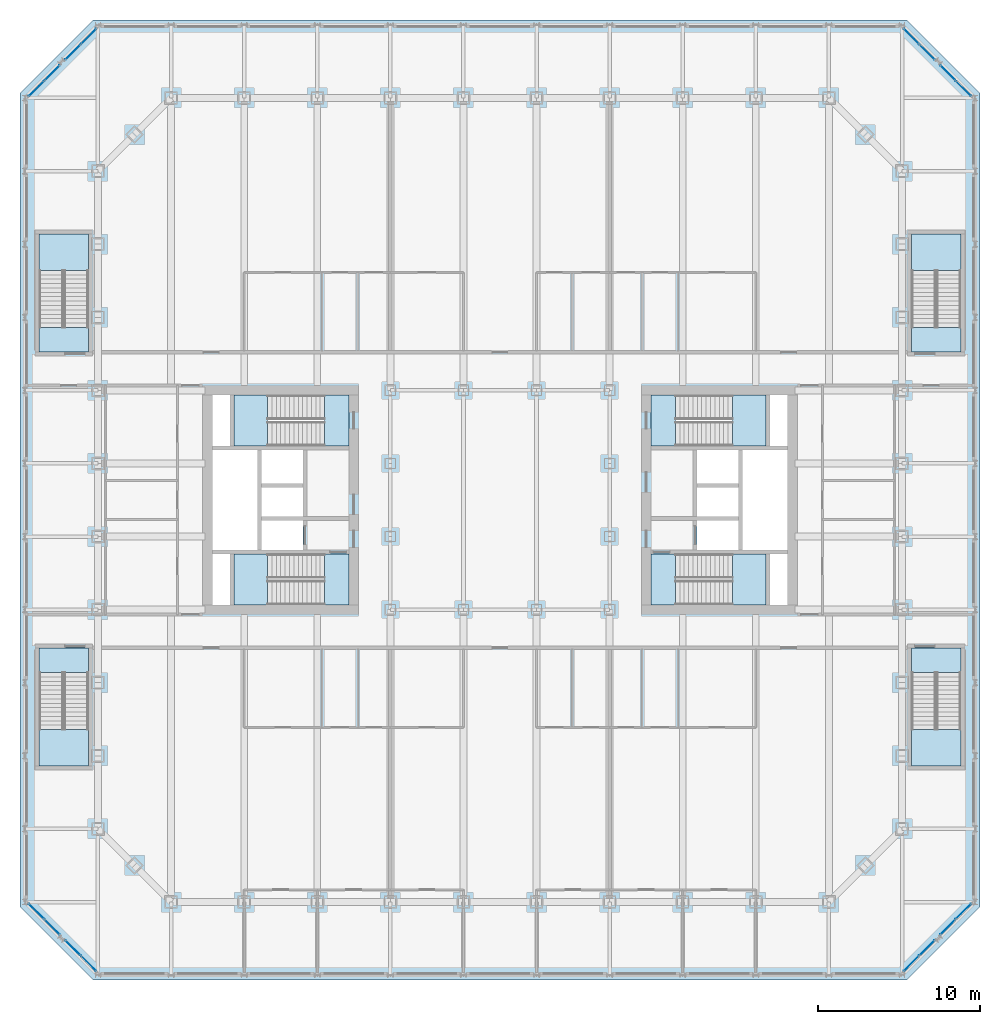
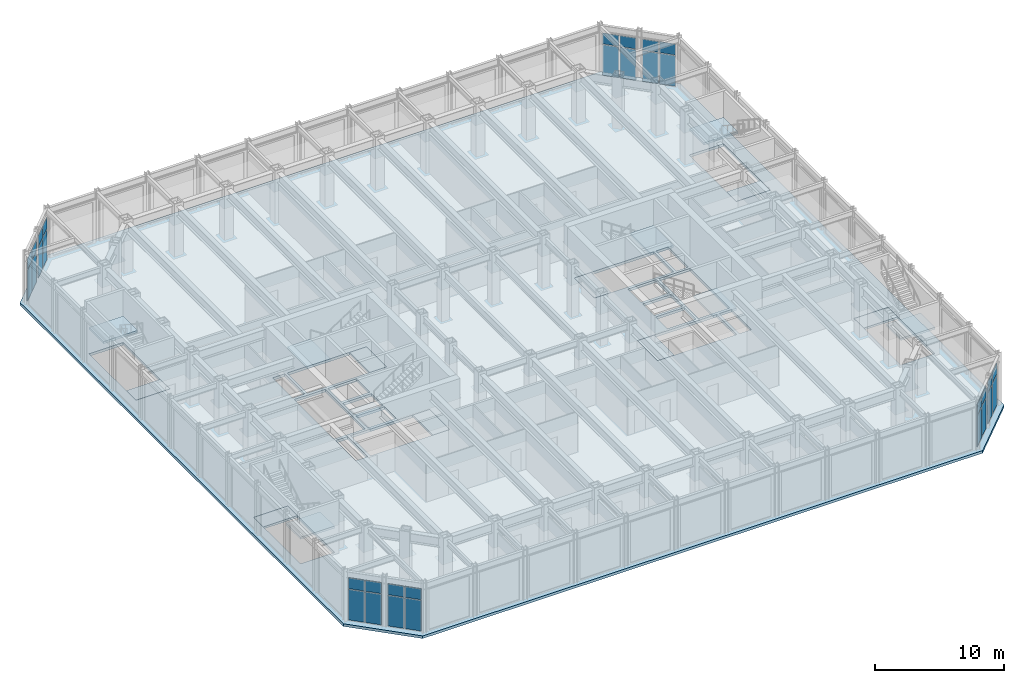
# One storey, part 9 of 19: 32 plates, 17 slabs, 16 elements without a shape of their own.
"""IFC4 building model written with IfcOpenShell, lengths in metres."""

from ifc_helpers import new_model, si_unit, direction, frame, origin, origin_2d, place, context, subcontext, project, spatial, polyline, rectangle, outline, extrude, material, layer, layer_set, type_object, element, aggregate, save


model = new_model("IFC4")

# Units and contexts
model_context = context("Model", 3, precision=1e-05, world=origin(), true_north=direction((0.0, 1.0)))
body_context = subcontext(model_context, "Body", "Model", "MODEL_VIEW")
ifc_project = project(units=[si_unit("LENGTHUNIT", "METRE"), si_unit("AREAUNIT", "SQUARE_METRE"), si_unit("VOLUMEUNIT", "CUBIC_METRE"), si_unit("PLANEANGLEUNIT", "RADIAN"), si_unit("MASSUNIT", "GRAM", prefix="KILO")], contexts=[model_context])

# Site, building, storey
site_placement = place(None, origin())
site = spatial("IfcSite", under=ifc_project, at=site_placement, CompositionType="ELEMENT")
building_placement = place(site_placement, origin())
building = spatial("IfcBuilding", under=site, at=building_placement, Name="Msasa Ring Tower", CompositionType="ELEMENT")
storey_placement = place(building_placement, frame((0.0, 0.0, 6.0)))
storey = spatial("IfcBuildingStorey", under=building, at=storey_placement, Name="L01", CompositionType="ELEMENT", Elevation=6.0)

# Curtain wall, plates
ifc_material_1 = material(Name="Aluminium curtain wall with clear glass", Category="aluminium")
curtain_wall_type = type_object("IfcCurtainWallType", Name="CW-K PODIUM CORNER CURTAIN WALL", PredefinedType="NOTDEFINED", material=ifc_material_1)
curtain_wall_1_placement = place(storey_placement, origin())
curtain_wall_1 = element("IfcCurtainWall", 1, at=curtain_wall_1_placement, inside=storey, type_object=curtain_wall_type, Name="Podium corner curtain wall SE L01", PredefinedType="NOTDEFINED")
ifc_material_2 = material(Name="Clear laminated insulating glass unit", Category="glass")
ifc_layer_1 = layer(ifc_material_2, 0.031982421875)
ifc_layer_set_1 = layer_set([ifc_layer_1], Name="CW-K GLASS PANEL 32")
plate_type = type_object("IfcPlateType", Name="CW-K GLASS PANEL 32", PredefinedType="CURTAIN_PANEL", material=ifc_layer_set_1)
plate_1_placement = place(storey_placement, frame((25.320556640625, -28.5380859375, 0.070068359375), z_axis=(0.0, 0.0, 1.0), x_axis=(0.707106781187, 0.707106781187, 0.0)))
plate_1 = element("IfcPlate", 2, at=plate_1_placement, type_object=plate_type, Name="CW-K panel 1.1", PredefinedType="CURTAIN_PANEL", context=body_context, shape_type="SweptSolid", body=[
    extrude(rectangle(XDim=1.29833984375, YDim=0.031982421875, at=origin_2d()), origin(), (0.0, 0.0, 1.0), 2.89501953125),
])
plate_2_placement = place(storey_placement, frame((25.320556640625, -28.5380859375, 3.034912109375), z_axis=(0.0, 0.0, 1.0), x_axis=(0.707106781187, 0.707106781187, 0.0)))
plate_2 = element("IfcPlate", 3, at=plate_2_placement, type_object=plate_type, Name="CW-K panel 1.2", PredefinedType="CURTAIN_PANEL", context=body_context, shape_type="SweptSolid", body=[
    extrude(rectangle(XDim=1.29833984375, YDim=0.031982421875, at=origin_2d()), origin(), (0.0, 0.0, 1.0), 1.02783203125),
])
plate_3_placement = place(storey_placement, frame((26.2880859375, -27.570556640625, 0.070068359375), z_axis=(0.0, 0.0, 1.0), x_axis=(0.707106781187, 0.707106781187, 0.0)))
plate_3 = element("IfcPlate", 4, at=plate_3_placement, type_object=plate_type, Name="CW-K panel 2.1", PredefinedType="CURTAIN_PANEL", context=body_context, shape_type="SweptSolid", body=[
    extrude(rectangle(XDim=1.29833984375, YDim=0.031982421875, at=origin_2d()), origin(), (0.0, 0.0, 1.0), 2.89501953125),
])
plate_4_placement = place(storey_placement, frame((26.2880859375, -27.570556640625, 3.034912109375), z_axis=(0.0, 0.0, 1.0), x_axis=(0.707106781187, 0.707106781187, 0.0)))
plate_4 = element("IfcPlate", 5, at=plate_4_placement, type_object=plate_type, Name="CW-K panel 2.2", PredefinedType="CURTAIN_PANEL", context=body_context, shape_type="SweptSolid", body=[
    extrude(rectangle(XDim=1.29833984375, YDim=0.031982421875, at=origin_2d()), origin(), (0.0, 0.0, 1.0), 1.02783203125),
])
aggregate(curtain_wall_1, [plate_1, plate_2, plate_3, plate_4])

curtain_wall_2_placement = place(storey_placement, origin())
curtain_wall_2 = element("IfcCurtainWall", 6, at=curtain_wall_2_placement, inside=storey, type_object=curtain_wall_type, Name="Podium corner curtain wall SE L01", PredefinedType="NOTDEFINED")
plate_5_placement = place(storey_placement, frame((27.570556640625, -26.2880859375, 0.070068359375), z_axis=(0.0, 0.0, 1.0), x_axis=(0.707106781187, 0.707106781187, 0.0)))
plate_5 = element("IfcPlate", 7, at=plate_5_placement, type_object=plate_type, Name="CW-K panel 1.1", PredefinedType="CURTAIN_PANEL", context=body_context, shape_type="SweptSolid", body=[
    extrude(rectangle(XDim=1.29833984375, YDim=0.031982421875, at=origin_2d()), origin(), (0.0, 0.0, 1.0), 2.89501953125),
])
plate_6_placement = place(storey_placement, frame((27.570556640625, -26.2880859375, 3.034912109375), z_axis=(0.0, 0.0, 1.0), x_axis=(0.707106781187, 0.707106781187, 0.0)))
plate_6 = element("IfcPlate", 8, at=plate_6_placement, type_object=plate_type, Name="CW-K panel 1.2", PredefinedType="CURTAIN_PANEL", context=body_context, shape_type="SweptSolid", body=[
    extrude(rectangle(XDim=1.29833984375, YDim=0.031982421875, at=origin_2d()), origin(), (0.0, 0.0, 1.0), 1.02783203125),
])
plate_7_placement = place(storey_placement, frame((28.5380859375, -25.320556640625, 0.070068359375), z_axis=(0.0, 0.0, 1.0), x_axis=(0.707106781187, 0.707106781187, 0.0)))
plate_7 = element("IfcPlate", 9, at=plate_7_placement, type_object=plate_type, Name="CW-K panel 2.1", PredefinedType="CURTAIN_PANEL", context=body_context, shape_type="SweptSolid", body=[
    extrude(rectangle(XDim=1.29833984375, YDim=0.031982421875, at=origin_2d()), origin(), (0.0, 0.0, 1.0), 2.89501953125),
])
plate_8_placement = place(storey_placement, frame((28.5380859375, -25.320556640625, 3.034912109375), z_axis=(0.0, 0.0, 1.0), x_axis=(0.707106781187, 0.707106781187, 0.0)))
plate_8 = element("IfcPlate", 10, at=plate_8_placement, type_object=plate_type, Name="CW-K panel 2.2", PredefinedType="CURTAIN_PANEL", context=body_context, shape_type="SweptSolid", body=[
    extrude(rectangle(XDim=1.29833984375, YDim=0.031982421875, at=origin_2d()), origin(), (0.0, 0.0, 1.0), 1.02783203125),
])
aggregate(curtain_wall_2, [plate_5, plate_6, plate_7, plate_8])

curtain_wall_3_placement = place(storey_placement, origin())
curtain_wall_3 = element("IfcCurtainWall", 11, at=curtain_wall_3_placement, inside=storey, type_object=curtain_wall_type, Name="Podium corner curtain wall NE L01", PredefinedType="NOTDEFINED")
plate_9_placement = place(storey_placement, frame((26.2880859375, 27.570556640625, 0.070068359375), z_axis=(0.0, 0.0, 1.0), x_axis=(-0.707106781187, 0.707106781187, 0.0)))
plate_9 = element("IfcPlate", 12, at=plate_9_placement, type_object=plate_type, Name="CW-K panel 1.1", PredefinedType="CURTAIN_PANEL", context=body_context, shape_type="SweptSolid", body=[
    extrude(rectangle(XDim=1.29833984375, YDim=0.031982421875, at=origin_2d()), origin(), (0.0, 0.0, 1.0), 2.89501953125),
])
plate_10_placement = place(storey_placement, frame((26.2880859375, 27.570556640625, 3.034912109375), z_axis=(0.0, 0.0, 1.0), x_axis=(-0.707106781187, 0.707106781187, 0.0)))
plate_10 = element("IfcPlate", 13, at=plate_10_placement, type_object=plate_type, Name="CW-K panel 1.2", PredefinedType="CURTAIN_PANEL", context=body_context, shape_type="SweptSolid", body=[
    extrude(rectangle(XDim=1.29833984375, YDim=0.031982421875, at=origin_2d()), origin(), (0.0, 0.0, 1.0), 1.02783203125),
])
plate_11_placement = place(storey_placement, frame((25.320556640625, 28.5380859375, 0.070068359375), z_axis=(0.0, 0.0, 1.0), x_axis=(-0.707106781187, 0.707106781187, 0.0)))
plate_11 = element("IfcPlate", 14, at=plate_11_placement, type_object=plate_type, Name="CW-K panel 2.1", PredefinedType="CURTAIN_PANEL", context=body_context, shape_type="SweptSolid", body=[
    extrude(rectangle(XDim=1.29833984375, YDim=0.031982421875, at=origin_2d()), origin(), (0.0, 0.0, 1.0), 2.89501953125),
])
plate_12_placement = place(storey_placement, frame((25.320556640625, 28.5380859375, 3.034912109375), z_axis=(0.0, 0.0, 1.0), x_axis=(-0.707106781187, 0.707106781187, 0.0)))
plate_12 = element("IfcPlate", 15, at=plate_12_placement, type_object=plate_type, Name="CW-K panel 2.2", PredefinedType="CURTAIN_PANEL", context=body_context, shape_type="SweptSolid", body=[
    extrude(rectangle(XDim=1.29833984375, YDim=0.031982421875, at=origin_2d()), origin(), (0.0, 0.0, 1.0), 1.02783203125),
])
aggregate(curtain_wall_3, [plate_9, plate_10, plate_11, plate_12])

curtain_wall_4_placement = place(storey_placement, origin())
curtain_wall_4 = element("IfcCurtainWall", 16, at=curtain_wall_4_placement, inside=storey, type_object=curtain_wall_type, Name="Podium corner curtain wall NE L01", PredefinedType="NOTDEFINED")
plate_13_placement = place(storey_placement, frame((28.5380859375, 25.320556640625, 0.070068359375), z_axis=(0.0, 0.0, 1.0), x_axis=(-0.707106781187, 0.707106781187, 0.0)))
plate_13 = element("IfcPlate", 17, at=plate_13_placement, type_object=plate_type, Name="CW-K panel 1.1", PredefinedType="CURTAIN_PANEL", context=body_context, shape_type="SweptSolid", body=[
    extrude(rectangle(XDim=1.29833984375, YDim=0.031982421875, at=origin_2d()), origin(), (0.0, 0.0, 1.0), 2.89501953125),
])
plate_14_placement = place(storey_placement, frame((28.5380859375, 25.320556640625, 3.034912109375), z_axis=(0.0, 0.0, 1.0), x_axis=(-0.707106781187, 0.707106781187, 0.0)))
plate_14 = element("IfcPlate", 18, at=plate_14_placement, type_object=plate_type, Name="CW-K panel 1.2", PredefinedType="CURTAIN_PANEL", context=body_context, shape_type="SweptSolid", body=[
    extrude(rectangle(XDim=1.29833984375, YDim=0.031982421875, at=origin_2d()), origin(), (0.0, 0.0, 1.0), 1.02783203125),
])
plate_15_placement = place(storey_placement, frame((27.570556640625, 26.2880859375, 0.070068359375), z_axis=(0.0, 0.0, 1.0), x_axis=(-0.707106781187, 0.707106781187, 0.0)))
plate_15 = element("IfcPlate", 19, at=plate_15_placement, type_object=plate_type, Name="CW-K panel 2.1", PredefinedType="CURTAIN_PANEL", context=body_context, shape_type="SweptSolid", body=[
    extrude(rectangle(XDim=1.29833984375, YDim=0.031982421875, at=origin_2d()), origin(), (0.0, 0.0, 1.0), 2.89501953125),
])
plate_16_placement = place(storey_placement, frame((27.570556640625, 26.2880859375, 3.034912109375), z_axis=(0.0, 0.0, 1.0), x_axis=(-0.707106781187, 0.707106781187, 0.0)))
plate_16 = element("IfcPlate", 20, at=plate_16_placement, type_object=plate_type, Name="CW-K panel 2.2", PredefinedType="CURTAIN_PANEL", context=body_context, shape_type="SweptSolid", body=[
    extrude(rectangle(XDim=1.29833984375, YDim=0.031982421875, at=origin_2d()), origin(), (0.0, 0.0, 1.0), 1.02783203125),
])
aggregate(curtain_wall_4, [plate_13, plate_14, plate_15, plate_16])

curtain_wall_5_placement = place(storey_placement, origin())
curtain_wall_5 = element("IfcCurtainWall", 21, at=curtain_wall_5_placement, inside=storey, type_object=curtain_wall_type, Name="Podium corner curtain wall NW L01", PredefinedType="NOTDEFINED")
plate_17_placement = place(storey_placement, frame((-27.570556640625, 26.2880859375, 0.070068359375), z_axis=(0.0, 0.0, 1.0), x_axis=(-0.707106781187, -0.707106781187, 0.0)))
plate_17 = element("IfcPlate", 22, at=plate_17_placement, type_object=plate_type, Name="CW-K panel 1.1", PredefinedType="CURTAIN_PANEL", context=body_context, shape_type="SweptSolid", body=[
    extrude(rectangle(XDim=1.29833984375, YDim=0.031982421875, at=origin_2d()), origin(), (0.0, 0.0, 1.0), 2.89501953125),
])
plate_18_placement = place(storey_placement, frame((-27.570556640625, 26.2880859375, 3.034912109375), z_axis=(0.0, 0.0, 1.0), x_axis=(-0.707106781187, -0.707106781187, 0.0)))
plate_18 = element("IfcPlate", 23, at=plate_18_placement, type_object=plate_type, Name="CW-K panel 1.2", PredefinedType="CURTAIN_PANEL", context=body_context, shape_type="SweptSolid", body=[
    extrude(rectangle(XDim=1.29833984375, YDim=0.031982421875, at=origin_2d()), origin(), (0.0, 0.0, 1.0), 1.02783203125),
])
plate_19_placement = place(storey_placement, frame((-28.5380859375, 25.320556640625, 0.070068359375), z_axis=(0.0, 0.0, 1.0), x_axis=(-0.707106781187, -0.707106781187, 0.0)))
plate_19 = element("IfcPlate", 24, at=plate_19_placement, type_object=plate_type, Name="CW-K panel 2.1", PredefinedType="CURTAIN_PANEL", context=body_context, shape_type="SweptSolid", body=[
    extrude(rectangle(XDim=1.29833984375, YDim=0.031982421875, at=origin_2d()), origin(), (0.0, 0.0, 1.0), 2.89501953125),
])
plate_20_placement = place(storey_placement, frame((-28.5380859375, 25.320556640625, 3.034912109375), z_axis=(0.0, 0.0, 1.0), x_axis=(-0.707106781187, -0.707106781187, 0.0)))
plate_20 = element("IfcPlate", 25, at=plate_20_placement, type_object=plate_type, Name="CW-K panel 2.2", PredefinedType="CURTAIN_PANEL", context=body_context, shape_type="SweptSolid", body=[
    extrude(rectangle(XDim=1.29833984375, YDim=0.031982421875, at=origin_2d()), origin(), (0.0, 0.0, 1.0), 1.02783203125),
])
aggregate(curtain_wall_5, [plate_17, plate_18, plate_19, plate_20])

curtain_wall_6_placement = place(storey_placement, origin())
curtain_wall_6 = element("IfcCurtainWall", 26, at=curtain_wall_6_placement, inside=storey, type_object=curtain_wall_type, Name="Podium corner curtain wall NW L01", PredefinedType="NOTDEFINED")
plate_21_placement = place(storey_placement, frame((-25.320556640625, 28.5380859375, 0.070068359375), z_axis=(0.0, 0.0, 1.0), x_axis=(-0.707106781187, -0.707106781187, 0.0)))
plate_21 = element("IfcPlate", 27, at=plate_21_placement, type_object=plate_type, Name="CW-K panel 1.1", PredefinedType="CURTAIN_PANEL", context=body_context, shape_type="SweptSolid", body=[
    extrude(rectangle(XDim=1.29833984375, YDim=0.031982421875, at=origin_2d()), origin(), (0.0, 0.0, 1.0), 2.89501953125),
])
plate_22_placement = place(storey_placement, frame((-25.320556640625, 28.5380859375, 3.034912109375), z_axis=(0.0, 0.0, 1.0), x_axis=(-0.707106781187, -0.707106781187, 0.0)))
plate_22 = element("IfcPlate", 28, at=plate_22_placement, type_object=plate_type, Name="CW-K panel 1.2", PredefinedType="CURTAIN_PANEL", context=body_context, shape_type="SweptSolid", body=[
    extrude(rectangle(XDim=1.29833984375, YDim=0.031982421875, at=origin_2d()), origin(), (0.0, 0.0, 1.0), 1.02783203125),
])
plate_23_placement = place(storey_placement, frame((-26.2880859375, 27.570556640625, 0.070068359375), z_axis=(0.0, 0.0, 1.0), x_axis=(-0.707106781187, -0.707106781187, 0.0)))
plate_23 = element("IfcPlate", 29, at=plate_23_placement, type_object=plate_type, Name="CW-K panel 2.1", PredefinedType="CURTAIN_PANEL", context=body_context, shape_type="SweptSolid", body=[
    extrude(rectangle(XDim=1.29833984375, YDim=0.031982421875, at=origin_2d()), origin(), (0.0, 0.0, 1.0), 2.89501953125),
])
plate_24_placement = place(storey_placement, frame((-26.2880859375, 27.570556640625, 3.034912109375), z_axis=(0.0, 0.0, 1.0), x_axis=(-0.707106781187, -0.707106781187, 0.0)))
plate_24 = element("IfcPlate", 30, at=plate_24_placement, type_object=plate_type, Name="CW-K panel 2.2", PredefinedType="CURTAIN_PANEL", context=body_context, shape_type="SweptSolid", body=[
    extrude(rectangle(XDim=1.29833984375, YDim=0.031982421875, at=origin_2d()), origin(), (0.0, 0.0, 1.0), 1.02783203125),
])
aggregate(curtain_wall_6, [plate_21, plate_22, plate_23, plate_24])

curtain_wall_7_placement = place(storey_placement, origin())
curtain_wall_7 = element("IfcCurtainWall", 31, at=curtain_wall_7_placement, inside=storey, type_object=curtain_wall_type, Name="Podium corner curtain wall SW L01", PredefinedType="NOTDEFINED")
plate_25_placement = place(storey_placement, frame((-28.5380859375, -25.320556640625, 0.070068359375), z_axis=(0.0, 0.0, 1.0), x_axis=(0.707106781187, -0.707106781187, 0.0)))
plate_25 = element("IfcPlate", 32, at=plate_25_placement, type_object=plate_type, Name="CW-K panel 1.1", PredefinedType="CURTAIN_PANEL", context=body_context, shape_type="SweptSolid", body=[
    extrude(rectangle(XDim=1.29833984375, YDim=0.031982421875, at=origin_2d()), origin(), (0.0, 0.0, 1.0), 2.89501953125),
])
plate_26_placement = place(storey_placement, frame((-28.5380859375, -25.320556640625, 3.034912109375), z_axis=(0.0, 0.0, 1.0), x_axis=(0.707106781187, -0.707106781187, 0.0)))
plate_26 = element("IfcPlate", 33, at=plate_26_placement, type_object=plate_type, Name="CW-K panel 1.2", PredefinedType="CURTAIN_PANEL", context=body_context, shape_type="SweptSolid", body=[
    extrude(rectangle(XDim=1.29833984375, YDim=0.031982421875, at=origin_2d()), origin(), (0.0, 0.0, 1.0), 1.02783203125),
])
plate_27_placement = place(storey_placement, frame((-27.570556640625, -26.2880859375, 0.070068359375), z_axis=(0.0, 0.0, 1.0), x_axis=(0.707106781187, -0.707106781187, 0.0)))
plate_27 = element("IfcPlate", 34, at=plate_27_placement, type_object=plate_type, Name="CW-K panel 2.1", PredefinedType="CURTAIN_PANEL", context=body_context, shape_type="SweptSolid", body=[
    extrude(rectangle(XDim=1.29833984375, YDim=0.031982421875, at=origin_2d()), origin(), (0.0, 0.0, 1.0), 2.89501953125),
])
plate_28_placement = place(storey_placement, frame((-27.570556640625, -26.2880859375, 3.034912109375), z_axis=(0.0, 0.0, 1.0), x_axis=(0.707106781187, -0.707106781187, 0.0)))
plate_28 = element("IfcPlate", 35, at=plate_28_placement, type_object=plate_type, Name="CW-K panel 2.2", PredefinedType="CURTAIN_PANEL", context=body_context, shape_type="SweptSolid", body=[
    extrude(rectangle(XDim=1.29833984375, YDim=0.031982421875, at=origin_2d()), origin(), (0.0, 0.0, 1.0), 1.02783203125),
])
aggregate(curtain_wall_7, [plate_25, plate_26, plate_27, plate_28])

curtain_wall_8_placement = place(storey_placement, origin())
curtain_wall_8 = element("IfcCurtainWall", 36, at=curtain_wall_8_placement, inside=storey, type_object=curtain_wall_type, Name="Podium corner curtain wall SW L01", PredefinedType="NOTDEFINED")
plate_29_placement = place(storey_placement, frame((-26.2880859375, -27.570556640625, 0.070068359375), z_axis=(0.0, 0.0, 1.0), x_axis=(0.707106781187, -0.707106781187, 0.0)))
plate_29 = element("IfcPlate", 37, at=plate_29_placement, type_object=plate_type, Name="CW-K panel 1.1", PredefinedType="CURTAIN_PANEL", context=body_context, shape_type="SweptSolid", body=[
    extrude(rectangle(XDim=1.29833984375, YDim=0.031982421875, at=origin_2d()), origin(), (0.0, 0.0, 1.0), 2.89501953125),
])
plate_30_placement = place(storey_placement, frame((-26.2880859375, -27.570556640625, 3.034912109375), z_axis=(0.0, 0.0, 1.0), x_axis=(0.707106781187, -0.707106781187, 0.0)))
plate_30 = element("IfcPlate", 38, at=plate_30_placement, type_object=plate_type, Name="CW-K panel 1.2", PredefinedType="CURTAIN_PANEL", context=body_context, shape_type="SweptSolid", body=[
    extrude(rectangle(XDim=1.29833984375, YDim=0.031982421875, at=origin_2d()), origin(), (0.0, 0.0, 1.0), 1.02783203125),
])
plate_31_placement = place(storey_placement, frame((-25.320556640625, -28.5380859375, 0.070068359375), z_axis=(0.0, 0.0, 1.0), x_axis=(0.707106781187, -0.707106781187, 0.0)))
plate_31 = element("IfcPlate", 39, at=plate_31_placement, type_object=plate_type, Name="CW-K panel 2.1", PredefinedType="CURTAIN_PANEL", context=body_context, shape_type="SweptSolid", body=[
    extrude(rectangle(XDim=1.29833984375, YDim=0.031982421875, at=origin_2d()), origin(), (0.0, 0.0, 1.0), 2.89501953125),
])
plate_32_placement = place(storey_placement, frame((-25.320556640625, -28.5380859375, 3.034912109375), z_axis=(0.0, 0.0, 1.0), x_axis=(0.707106781187, -0.707106781187, 0.0)))
plate_32 = element("IfcPlate", 40, at=plate_32_placement, type_object=plate_type, Name="CW-K panel 2.2", PredefinedType="CURTAIN_PANEL", context=body_context, shape_type="SweptSolid", body=[
    extrude(rectangle(XDim=1.29833984375, YDim=0.031982421875, at=origin_2d()), origin(), (0.0, 0.0, 1.0), 1.02783203125),
])
aggregate(curtain_wall_8, [plate_29, plate_30, plate_31, plate_32])

# Stair, slabs
ifc_material_3 = material(Name="Concrete C40/50", Category="concrete")
stair_type_1 = type_object("IfcStairType", Name="STC CORE STAIR 28 RISERS 178.6", PredefinedType="HALF_TURN_STAIR", material=ifc_material_3)
stair_1_placement = place(storey_placement, origin())
stair_1 = element("IfcStair", 41, at=stair_1_placement, inside=storey, type_object=stair_type_1, Name="Core stair SEA L01", PredefinedType="HALF_TURN_STAIR")
ifc_material_4 = material(Name="Concrete C40/50", Category="concrete")
ifc_layer_2 = layer(ifc_material_4, 0.199951171875)
ifc_layer_set_2 = layer_set([ifc_layer_2], Name="LD1 CORE STAIR LANDING 200")
slab_type_1 = type_object("IfcSlabType", Name="LD1 CORE STAIR LANDING 200", PredefinedType="LANDING", material=ifc_layer_set_2)
slab_1_placement = place(storey_placement, frame((0.0, 0.0, -0.199951171875)))
slab_1 = element("IfcSlab", 42, at=slab_1_placement, type_object=slab_type_1, Name="SEA landing 1", PredefinedType="LANDING", context=body_context, shape_type="SweptSolid", body=[
    extrude(outline(polyline([(9.300048828125, -6.449951171875), (10.800048828125, -6.449951171875), (10.800048828125, -3.324951171875), (9.300048828125, -3.324951171875), (9.300048828125, -6.449951171875)])), origin(), (0.0, 0.0, 1.0), 0.199951171875),
])
slab_2_placement = place(storey_placement, frame((0.0, 0.0, 2.300048828125)))
slab_2 = element("IfcSlab", 43, at=slab_2_placement, type_object=slab_type_1, Name="SEA landing 2", PredefinedType="LANDING", context=body_context, shape_type="SweptSolid", body=[
    extrude(outline(polyline([(14.31005859375, -6.449951171875), (16.375, -6.449951171875), (16.375, -3.324951171875), (14.31005859375, -3.324951171875), (14.31005859375, -6.449951171875)])), origin(), (0.0, 0.0, 1.0), 0.199951171875),
])
aggregate(stair_1, [slab_1, slab_2])

stair_2_placement = place(storey_placement, origin())
stair_2 = element("IfcStair", 44, at=stair_2_placement, inside=storey, type_object=stair_type_1, Name="Core stair SEB L01", PredefinedType="HALF_TURN_STAIR")
slab_3_placement = place(storey_placement, frame((0.0, 0.0, -0.199951171875)))
slab_3 = element("IfcSlab", 45, at=slab_3_placement, type_object=slab_type_1, Name="SEB landing 1", PredefinedType="LANDING", context=body_context, shape_type="SweptSolid", body=[
    extrude(outline(polyline([(9.300048828125, 3.324951171875), (10.800048828125, 3.324951171875), (10.800048828125, 6.449951171875), (9.300048828125, 6.449951171875), (9.300048828125, 3.324951171875)])), origin(), (0.0, 0.0, 1.0), 0.199951171875),
])
slab_4_placement = place(storey_placement, frame((0.0, 0.0, 2.300048828125)))
slab_4 = element("IfcSlab", 46, at=slab_4_placement, type_object=slab_type_1, Name="SEB landing 2", PredefinedType="LANDING", context=body_context, shape_type="SweptSolid", body=[
    extrude(outline(polyline([(14.31005859375, 3.324951171875), (16.375, 3.324951171875), (16.375, 6.449951171875), (14.31005859375, 6.449951171875), (14.31005859375, 3.324951171875)])), origin(), (0.0, 0.0, 1.0), 0.199951171875),
])
aggregate(stair_2, [slab_3, slab_4])

stair_3_placement = place(storey_placement, origin())
stair_3 = element("IfcStair", 47, at=stair_3_placement, inside=storey, type_object=stair_type_1, Name="Core stair SWA L01", PredefinedType="HALF_TURN_STAIR")
slab_5_placement = place(storey_placement, frame((0.0, 0.0, -0.199951171875)))
slab_5 = element("IfcSlab", 48, at=slab_5_placement, type_object=slab_type_1, Name="SWA landing 1", PredefinedType="LANDING", context=body_context, shape_type="SweptSolid", body=[
    extrude(outline(polyline([(-10.800048828125, -6.449951171875), (-9.300048828125, -6.449951171875), (-9.300048828125, -3.324951171875), (-10.800048828125, -3.324951171875), (-10.800048828125, -6.449951171875)])), origin(), (0.0, 0.0, 1.0), 0.199951171875),
])
slab_6_placement = place(storey_placement, frame((0.0, 0.0, 2.300048828125)))
slab_6 = element("IfcSlab", 49, at=slab_6_placement, type_object=slab_type_1, Name="SWA landing 2", PredefinedType="LANDING", context=body_context, shape_type="SweptSolid", body=[
    extrude(outline(polyline([(-16.375, -6.449951171875), (-14.31005859375, -6.449951171875), (-14.31005859375, -3.324951171875), (-16.375, -3.324951171875), (-16.375, -6.449951171875)])), origin(), (0.0, 0.0, 1.0), 0.199951171875),
])
aggregate(stair_3, [slab_5, slab_6])

stair_4_placement = place(storey_placement, origin())
stair_4 = element("IfcStair", 50, at=stair_4_placement, inside=storey, type_object=stair_type_1, Name="Core stair SWB L01", PredefinedType="HALF_TURN_STAIR")
slab_7_placement = place(storey_placement, frame((0.0, 0.0, -0.199951171875)))
slab_7 = element("IfcSlab", 51, at=slab_7_placement, type_object=slab_type_1, Name="SWB landing 1", PredefinedType="LANDING", context=body_context, shape_type="SweptSolid", body=[
    extrude(outline(polyline([(-10.800048828125, 3.324951171875), (-9.300048828125, 3.324951171875), (-9.300048828125, 6.449951171875), (-10.800048828125, 6.449951171875), (-10.800048828125, 3.324951171875)])), origin(), (0.0, 0.0, 1.0), 0.199951171875),
])
slab_8_placement = place(storey_placement, frame((0.0, 0.0, 2.300048828125)))
slab_8 = element("IfcSlab", 52, at=slab_8_placement, type_object=slab_type_1, Name="SWB landing 2", PredefinedType="LANDING", context=body_context, shape_type="SweptSolid", body=[
    extrude(outline(polyline([(-16.375, 3.324951171875), (-14.31005859375, 3.324951171875), (-14.31005859375, 6.449951171875), (-16.375, 6.449951171875), (-16.375, 3.324951171875)])), origin(), (0.0, 0.0, 1.0), 0.199951171875),
])
aggregate(stair_4, [slab_7, slab_8])

ifc_material_5 = material(Name="Concrete C40/50", Category="concrete")
stair_type_2 = type_object("IfcStairType", Name="STP PODIUM STAIR 28 RISERS 178.6", PredefinedType="HALF_TURN_STAIR", material=ifc_material_5)
stair_5_placement = place(storey_placement, origin())
stair_5 = element("IfcStair", 53, at=stair_5_placement, inside=storey, type_object=stair_type_2, Name="Podium stair PEN L01", PredefinedType="HALF_TURN_STAIR")
ifc_material_6 = material(Name="Concrete C40/50", Category="concrete")
ifc_layer_3 = layer(ifc_material_6, 0.199951171875)
ifc_layer_set_3 = layer_set([ifc_layer_3], Name="LD2 PODIUM STAIR LANDING 200")
slab_type_2 = type_object("IfcSlabType", Name="LD2 PODIUM STAIR LANDING 200", PredefinedType="LANDING", material=ifc_layer_set_3)
slab_9_placement = place(storey_placement, frame((0.0, 0.0, -0.199951171875)))
slab_9 = element("IfcSlab", 54, at=slab_9_placement, type_object=slab_type_2, Name="PEN landing 1", PredefinedType="LANDING", context=body_context, shape_type="SweptSolid", body=[
    extrude(outline(polyline([(25.324951171875, 9.125), (28.375, 9.125), (28.375, 10.625), (25.324951171875, 10.625), (25.324951171875, 9.125)])), origin(), (0.0, 0.0, 1.0), 0.199951171875),
])
slab_10_placement = place(storey_placement, frame((0.0, 0.0, 2.300048828125)))
slab_10 = element("IfcSlab", 55, at=slab_10_placement, type_object=slab_type_2, Name="PEN landing 2", PredefinedType="LANDING", context=body_context, shape_type="SweptSolid", body=[
    extrude(outline(polyline([(25.324951171875, 14.135009765625), (28.375, 14.135009765625), (28.375, 16.375), (25.324951171875, 16.375), (25.324951171875, 14.135009765625)])), origin(), (0.0, 0.0, 1.0), 0.199951171875),
])
aggregate(stair_5, [slab_9, slab_10])

stair_6_placement = place(storey_placement, origin())
stair_6 = element("IfcStair", 56, at=stair_6_placement, inside=storey, type_object=stair_type_2, Name="Podium stair PES L01", PredefinedType="HALF_TURN_STAIR")
slab_11_placement = place(storey_placement, frame((0.0, 0.0, -0.199951171875)))
slab_11 = element("IfcSlab", 57, at=slab_11_placement, type_object=slab_type_2, Name="PES landing 1", PredefinedType="LANDING", context=body_context, shape_type="SweptSolid", body=[
    extrude(outline(polyline([(25.324951171875, -10.625), (28.375, -10.625), (28.375, -9.125), (25.324951171875, -9.125), (25.324951171875, -10.625)])), origin(), (0.0, 0.0, 1.0), 0.199951171875),
])
slab_12_placement = place(storey_placement, frame((0.0, 0.0, 2.300048828125)))
slab_12 = element("IfcSlab", 58, at=slab_12_placement, type_object=slab_type_2, Name="PES landing 2", PredefinedType="LANDING", context=body_context, shape_type="SweptSolid", body=[
    extrude(outline(polyline([(25.324951171875, -16.375), (28.375, -16.375), (28.375, -14.135009765625), (25.324951171875, -14.135009765625), (25.324951171875, -16.375)])), origin(), (0.0, 0.0, 1.0), 0.199951171875),
])
aggregate(stair_6, [slab_11, slab_12])

stair_7_placement = place(storey_placement, origin())
stair_7 = element("IfcStair", 59, at=stair_7_placement, inside=storey, type_object=stair_type_2, Name="Podium stair PWN L01", PredefinedType="HALF_TURN_STAIR")
slab_13_placement = place(storey_placement, frame((0.0, 0.0, -0.199951171875)))
slab_13 = element("IfcSlab", 60, at=slab_13_placement, type_object=slab_type_2, Name="PWN landing 1", PredefinedType="LANDING", context=body_context, shape_type="SweptSolid", body=[
    extrude(outline(polyline([(-28.375, 9.125), (-25.324951171875, 9.125), (-25.324951171875, 10.625), (-28.375, 10.625), (-28.375, 9.125)])), origin(), (0.0, 0.0, 1.0), 0.199951171875),
])
slab_14_placement = place(storey_placement, frame((0.0, 0.0, 2.300048828125)))
slab_14 = element("IfcSlab", 61, at=slab_14_placement, type_object=slab_type_2, Name="PWN landing 2", PredefinedType="LANDING", context=body_context, shape_type="SweptSolid", body=[
    extrude(outline(polyline([(-28.375, 14.135009765625), (-25.324951171875, 14.135009765625), (-25.324951171875, 16.375), (-28.375, 16.375), (-28.375, 14.135009765625)])), origin(), (0.0, 0.0, 1.0), 0.199951171875),
])
aggregate(stair_7, [slab_13, slab_14])

stair_8_placement = place(storey_placement, origin())
stair_8 = element("IfcStair", 62, at=stair_8_placement, inside=storey, type_object=stair_type_2, Name="Podium stair PWS L01", PredefinedType="HALF_TURN_STAIR")
slab_15_placement = place(storey_placement, frame((0.0, 0.0, -0.199951171875)))
slab_15 = element("IfcSlab", 63, at=slab_15_placement, type_object=slab_type_2, Name="PWS landing 1", PredefinedType="LANDING", context=body_context, shape_type="SweptSolid", body=[
    extrude(outline(polyline([(-28.375, -10.625), (-25.324951171875, -10.625), (-25.324951171875, -9.125), (-28.375, -9.125), (-28.375, -10.625)])), origin(), (0.0, 0.0, 1.0), 0.199951171875),
])
slab_16_placement = place(storey_placement, frame((0.0, 0.0, 2.300048828125)))
slab_16 = element("IfcSlab", 64, at=slab_16_placement, type_object=slab_type_2, Name="PWS landing 2", PredefinedType="LANDING", context=body_context, shape_type="SweptSolid", body=[
    extrude(outline(polyline([(-28.375, -16.375), (-25.324951171875, -16.375), (-25.324951171875, -14.135009765625), (-28.375, -14.135009765625), (-28.375, -16.375)])), origin(), (0.0, 0.0, 1.0), 0.199951171875),
])
aggregate(stair_8, [slab_15, slab_16])

# Slab
ifc_material_7 = material(Name="Concrete C40/50", Category="concrete")
ifc_layer_4 = layer(ifc_material_7, 0.25)
ifc_layer_set_4 = layer_set([ifc_layer_4], Name="S1 PODIUM FLOOR 250")
slab_type_3 = type_object("IfcSlabType", Name="S1 PODIUM FLOOR 250", PredefinedType="FLOOR", material=ifc_layer_set_4)
slab_17_placement = place(storey_placement, frame((0.0, 0.0, -0.25)))
element("IfcSlab", 65, at=slab_17_placement, inside=storey, type_object=slab_type_3, Name="Floor slab L01", PredefinedType="FLOOR", context=body_context, shape_type="SweptSolid", body=[
    extrude(outline(polyline([(-25.050048828125, -29.550048828125), (25.050048828125, -29.550048828125), (29.550048828125, -25.050048828125), (29.550048828125, 25.050048828125), (25.050048828125, 29.550048828125), (-25.050048828125, 29.550048828125), (-29.550048828125, 25.050048828125), (-29.550048828125, -25.050048828125), (-25.050048828125, -29.550048828125)]), holes=[polyline([(9.300048828125, -6.449951171875), (16.375, -6.449951171875), (16.375, -3.324951171875), (9.300048828125, -3.324951171875), (9.300048828125, -6.449951171875)]), polyline([(9.300048828125, 3.324951171875), (16.375, 3.324951171875), (16.375, 6.449951171875), (9.300048828125, 6.449951171875), (9.300048828125, 3.324951171875)]), polyline([(12.125, -3.074951171875), (14.675048828125, -3.074951171875), (14.675048828125, -1.27490234375), (12.125, -1.27490234375), (12.125, -3.074951171875)]), polyline([(12.125, -1.02490234375), (14.675048828125, -1.02490234375), (14.675048828125, 0.77490234375), (12.125, 0.77490234375), (12.125, -1.02490234375)]), polyline([(12.125, 1.02490234375), (14.675048828125, 1.02490234375), (14.675048828125, 3.074951171875), (12.125, 3.074951171875), (12.125, 1.02490234375)]), polyline([(16.625, -6.449951171875), (17.699951171875, -6.449951171875), (17.699951171875, -3.324951171875), (16.625, -3.324951171875), (16.625, -6.449951171875)]), polyline([(16.625, 3.324951171875), (17.699951171875, 3.324951171875), (17.699951171875, 6.449951171875), (16.625, 6.449951171875), (16.625, 3.324951171875)]), polyline([(14.925048828125, -3.074951171875), (17.699951171875, -3.074951171875), (17.699951171875, 3.074951171875), (14.925048828125, 3.074951171875), (14.925048828125, -3.074951171875)]), polyline([(-16.375, -6.449951171875), (-9.300048828125, -6.449951171875), (-9.300048828125, -3.324951171875), (-16.375, -3.324951171875), (-16.375, -6.449951171875)]), polyline([(-16.375, 3.324951171875), (-9.300048828125, 3.324951171875), (-9.300048828125, 6.449951171875), (-16.375, 6.449951171875), (-16.375, 3.324951171875)]), polyline([(-14.675048828125, -3.074951171875), (-12.125, -3.074951171875), (-12.125, -1.27490234375), (-14.675048828125, -1.27490234375), (-14.675048828125, -3.074951171875)]), polyline([(-14.675048828125, -1.02490234375), (-12.125, -1.02490234375), (-12.125, 0.77490234375), (-14.675048828125, 0.77490234375), (-14.675048828125, -1.02490234375)]), polyline([(-14.675048828125, 1.02490234375), (-12.125, 1.02490234375), (-12.125, 3.074951171875), (-14.675048828125, 3.074951171875), (-14.675048828125, 1.02490234375)]), polyline([(-17.699951171875, -6.449951171875), (-16.625, -6.449951171875), (-16.625, -3.324951171875), (-17.699951171875, -3.324951171875), (-17.699951171875, -6.449951171875)]), polyline([(-17.699951171875, 3.324951171875), (-16.625, 3.324951171875), (-16.625, 6.449951171875), (-17.699951171875, 6.449951171875), (-17.699951171875, 3.324951171875)]), polyline([(-17.699951171875, -3.074951171875), (-14.925048828125, -3.074951171875), (-14.925048828125, 3.074951171875), (-17.699951171875, 3.074951171875), (-17.699951171875, -3.074951171875)]), polyline([(25.324951171875, 9.125), (28.375, 9.125), (28.375, 16.375), (25.324951171875, 16.375), (25.324951171875, 9.125)]), polyline([(25.324951171875, -16.375), (28.375, -16.375), (28.375, -9.125), (25.324951171875, -9.125), (25.324951171875, -16.375)]), polyline([(-28.375, 9.125), (-25.324951171875, 9.125), (-25.324951171875, 16.375), (-28.375, 16.375), (-28.375, 9.125)]), polyline([(-28.375, -16.375), (-25.324951171875, -16.375), (-25.324951171875, -9.125), (-28.375, -9.125), (-28.375, -16.375)])]), origin(), (0.0, 0.0, 1.0), 0.25),
])

save(model, "model.ifc")
